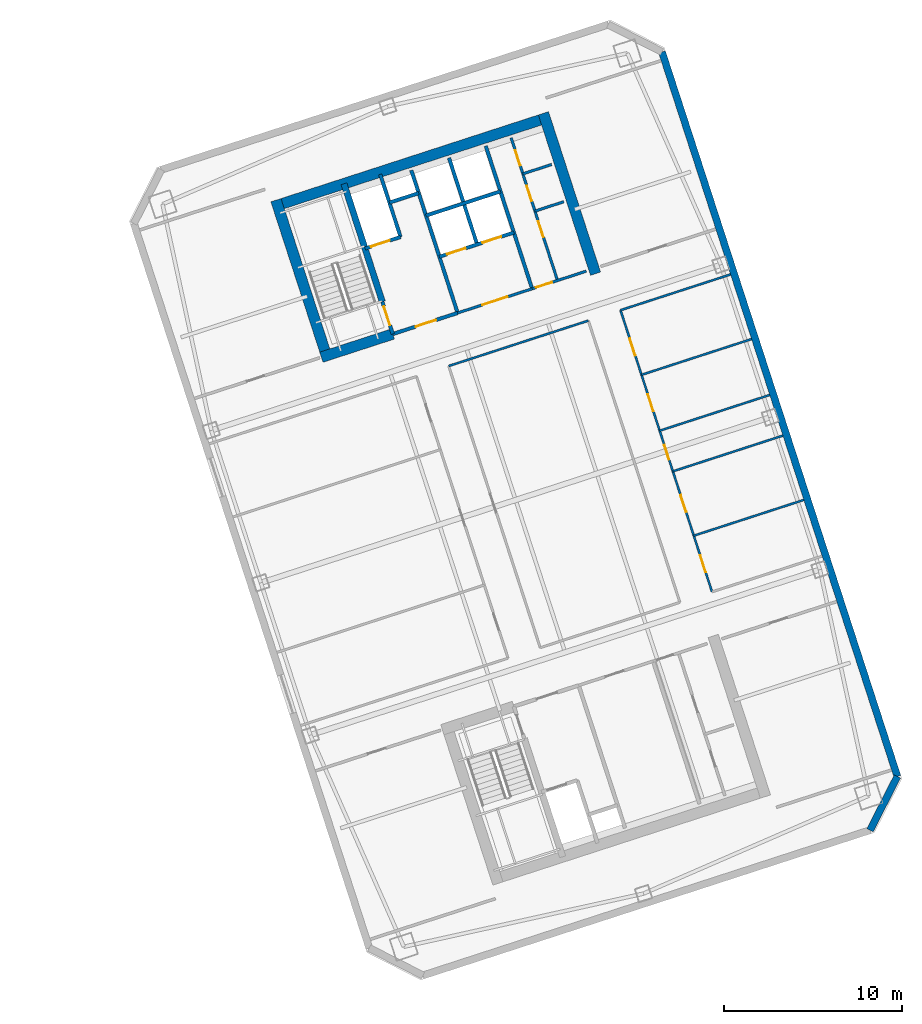
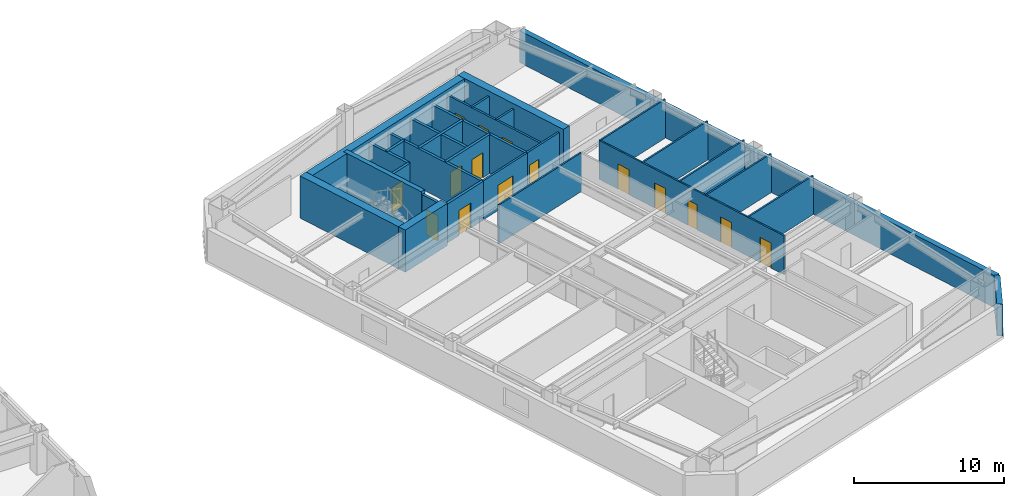
# One storey, part 10 of 14: 29 walls, 15 doors, 15 openings.
"""IFC4 building model written with IfcOpenShell, lengths in metres."""

from ifc_helpers import new_model, si_unit, direction, frame, frame_2d, origin, place, context, subcontext, project, spatial, rectangle, extrude, material, layer, layer_set, type_object, element, fill, save


model = new_model("IFC4")

# Units and contexts
model_context = context("Model", 3, precision=1e-05, world=origin(), true_north=direction((0.0, 1.0)))
body_context = subcontext(model_context, "Body", "Model", "MODEL_VIEW")
ifc_project = project(units=[si_unit("LENGTHUNIT", "METRE"), si_unit("AREAUNIT", "SQUARE_METRE"), si_unit("VOLUMEUNIT", "CUBIC_METRE"), si_unit("PLANEANGLEUNIT", "RADIAN"), si_unit("MASSUNIT", "GRAM", prefix="KILO")], contexts=[model_context])

# Site, building, storey
site_placement = place(None, origin())
site = spatial("IfcSite", under=ifc_project, at=site_placement, CompositionType="ELEMENT")
building_placement = place(site_placement, origin())
building = spatial("IfcBuilding", under=site, at=building_placement, Name="Qiaolan Cultural Towers", CompositionType="ELEMENT")
storey_placement = place(building_placement, frame((0.0, 0.0, 159.85009765625)))
storey = spatial("IfcBuildingStorey", under=building, at=storey_placement, Name="L42", CompositionType="ELEMENT", Elevation=159.85009765625)

# Walls
ifc_material_1 = material(Name="Concrete C50", Category="concrete")
ifc_layer_1 = layer(ifc_material_1, 0.35009765625)
ifc_layer_set_1 = layer_set([ifc_layer_1], Name="Concrete C50")
wall_type_1 = type_object("IfcWallType", Name="WL-CORE-350", PredefinedType="SHEAR", material=ifc_layer_set_1)
wall_1_placement = place(storey_placement, frame((82.513671875, 45.13134765625, 0.0), z_axis=(0.0, 0.0, 1.0), x_axis=(-0.308988790936, 0.951065679686, 0.0)))
element("IfcWall", 1, at=wall_1_placement, inside=storey, type_object=wall_type_1, Name="L42 T2-CN Stair Core Dividing Web", PredefinedType="SHEAR", context=body_context, shape_type="SweptSolid", body=[
    extrude(rectangle(XDim=6.97998046875, YDim=0.35009765625, at=frame_2d((3.489990234375, 0.0))), origin(), (0.0, 0.0, 1.0), 3.449951171875),
])
ifc_material_2 = material(Name="Concrete C55", Category="concrete")
ifc_layer_2 = layer(ifc_material_2, 0.60009765625)
ifc_layer_set_2 = layer_set([ifc_layer_2], Name="Concrete C55")
wall_type_2 = type_object("IfcWallType", Name="WL-CORE-600", PredefinedType="SHEAR", material=ifc_layer_set_2)
wall_2_placement = place(storey_placement, frame((76.343505859375, 50.4658203125, 0.0), z_axis=(0.0, 0.0, 1.0), x_axis=(0.951055727519, 0.309019421968, 0.0)))
element("IfcWall", 2, at=wall_2_placement, inside=storey, type_object=wall_type_2, Name="L42 T2-CN Outer Core Shear Wall", PredefinedType="SHEAR", context=body_context, shape_type="SweptSolid", body=[
    extrude(rectangle(XDim=16.39990234375, YDim=0.60009765625, at=frame_2d((8.199951171875, 0.0))), origin(), (0.0, 0.0, 1.0), 3.449951171875),
])
for number, where, z_axis, x_axis, name in (
    (3, (79.465576171875, 41.827880859375, 0.0), (0.0, 0.0, 1.0), (-0.309041232772, 0.951048640421, 0.0), "L42 T2-CN West Core Shear Wall"),
    (4, (94.4921875, 46.710205078125, 0.0), (0.0, 0.0, 1.0), (-0.309010370028, 0.95105866865, 0.0), "L42 T2-CN East Core Shear Wall"),
):
    element("IfcWall", number, at=place(storey_placement, frame(where, z_axis=z_axis, x_axis=x_axis)), inside=storey, type_object=wall_type_2, Name=name, PredefinedType="SHEAR", context=body_context, shape_type="SweptSolid", body=[
        extrude(rectangle(XDim=9.47998046875, YDim=0.60009765625, at=frame_2d((4.739990234375, 0.0))), origin(), (0.0, 0.0, 1.0), 3.449951171875),
    ])
wall_3_placement = place(storey_placement, frame((79.08740234375, 42.0205078125, 0.0), z_axis=(0.0, 0.0, 1.0), x_axis=(0.951062550203, 0.3089984233, 0.0)))
element("IfcWall", 5, at=wall_3_placement, inside=storey, type_object=wall_type_2, Name="L42 T2-CN Stair Front Shear Wall", PredefinedType="SHEAR", context=body_context, shape_type="SweptSolid", body=[
    extrude(rectangle(XDim=4.219970703125, YDim=0.60009765625, at=frame_2d((2.10986328125, 0.0))), origin(), (0.0, 0.0, 1.0), 3.449951171875),
])
ifc_material_3 = material(Name="Precast Concrete C50 Honed Stone Pier", Category="masonry")
ifc_layer_3 = layer(ifc_material_3, 0.39990234375)
ifc_layer_set_3 = layer_set([ifc_layer_3], Name="Precast Concrete C50 Honed Stone Pier")
wall_type_3 = type_object("IfcWallType", Name="WL-EXT-PIER-400", PredefinedType="SOLIDWALL", material=ifc_layer_set_3)
wall_4_placement = place(storey_placement, frame((98.2236328125, 59.17333984375, 0.0), z_axis=(0.0, 0.0, 1.0), x_axis=(0.309014228706, -0.951057414911, 0.0)))
element("IfcWall", 6, at=wall_4_placement, inside=storey, type_object=wall_type_3, Name="L42 East Tower Precast Pier Facade Wall F5", PredefinedType="SOLIDWALL", context=body_context, shape_type="SweptSolid", body=[
    extrude(rectangle(XDim=42.800048828125, YDim=0.39990234375, at=frame_2d((21.39990234375, 0.0))), origin(), (0.0, 0.0, 1.0), 2.60986328125),
])
wall_5_placement = place(storey_placement, frame((111.449462890625, 18.468017578125, 0.0), z_axis=(0.0, 0.0, 1.0), x_axis=(-0.454019523198, -0.890991735402, 0.0)))
element("IfcWall", 7, at=wall_5_placement, inside=storey, type_object=wall_type_3, Name="L42 East Tower Precast Pier Facade Wall F6", PredefinedType="SOLIDWALL", context=body_context, shape_type="SweptSolid", body=[
    extrude(rectangle(XDim=3.39404296875, YDim=0.39990234375, at=frame_2d((1.697021484375, 0.0))), origin(), (0.0, 0.0, 1.0), 2.60986328125),
])

# Wall, opening, door
ifc_material_4 = material(Name="Concrete C35 Fire Wall", Category="concrete")
ifc_layer_4 = layer(ifc_material_4, 0.199951171875)
ifc_layer_set_4 = layer_set([ifc_layer_4], Name="Concrete C35 Fire Wall")
wall_type_4 = type_object("IfcWallType", Name="WL-FIRE-200", PredefinedType="PARTITIONING", material=ifc_layer_set_4)
wall_6_placement = place(storey_placement, frame((83.100830078125, 43.324462890625, 0.0), z_axis=(0.0, 0.0, 1.0), x_axis=(-0.309048298632, 0.951046344356, 0.0)))
wall_6 = element("IfcWall", 8, at=wall_6_placement, inside=storey, type_object=wall_type_4, Name="L42 T2-CN Smokeproof Stair Entry Wall", PredefinedType="PARTITIONING", context=body_context, shape_type="SweptSolid", body=[
    extrude(rectangle(XDim=1.89990234375, YDim=0.199951171875, at=frame_2d((0.949951171875, 0.0))), origin(), (0.0, 0.0, 1.0), 3.1748046875),
])
opening_1_placement = place(wall_6_placement, frame((0.52001953125, 0.0, 0.0)))
opening_1 = element("IfcOpeningElement", 9, at=opening_1_placement, cuts=wall_6, Name="Opening FD-04", PredefinedType="OPENING", context=body_context, shape_type="SweptSolid", body=[
    extrude(rectangle(XDim=1.10009765625, YDim=2.050048828125, at=frame_2d((0.550048828125, 1.02490234375))), frame((0.0, 0.10986328125, 0.0), z_axis=(0.0, -1.0, 0.0), x_axis=(1.0, 0.0, 0.0)), (0.0, 0.0, 1.0), 0.219970703125),
])
ifc_material_5 = material(Name="Galvanized Steel Command Fire Door", Category="steel")
door_type_1 = type_object("IfcDoorType", Name="DR-FD90-1100", OperationType="NOTDEFINED", PredefinedType="DOOR", material=ifc_material_5)
door_1_placement = place(opening_1_placement, origin())
door_1 = element("IfcDoor", 10, at=door_1_placement, inside=storey, type_object=door_type_1, Name="L42 ST-E2 Smokeproof Stair Fire Door", OperationType="SINGLE_SWING_LEFT", OverallHeight=2.050048828125, OverallWidth=1.10009765625, PredefinedType="DOOR", context=body_context, shape_type="SweptSolid", body=[
    extrude(rectangle(XDim=1.10009765625, YDim=2.050048828125, at=frame_2d((0.550048828125, 1.02490234375))), frame((0.0, 0.02490234375, 0.0), z_axis=(0.0, -1.0, 0.0), x_axis=(1.0, 0.0, 0.0)), (0.0, 0.0, 1.0), 0.050048828125),
])
fill(opening_1, door_1)

# Wall
wall_7_placement = place(storey_placement, frame((86.743408203125, 44.508056640625, 0.0), z_axis=(0.0, 0.0, 1.0), x_axis=(-0.309016001439, 0.951056838919, 0.0)))
element("IfcWall", 11, at=wall_7_placement, inside=storey, type_object=wall_type_4, Name="L42 T2-CN Firefighting Zone Wall", PredefinedType="PARTITIONING", context=body_context, shape_type="SweptSolid", body=[
    extrude(rectangle(XDim=8.429931640625, YDim=0.199951171875, at=frame_2d((4.21484375, 0.0))), origin(), (0.0, 0.0, 1.0), 3.1748046875),
])

# Wall, opening, door
wall_8_placement = place(storey_placement, frame((83.100830078125, 43.324462890625, 0.0), z_axis=(0.0, 0.0, 1.0), x_axis=(0.951052804469, 0.309028417967, 0.0)))
wall_8 = element("IfcWall", 12, at=wall_8_placement, inside=storey, type_object=wall_type_4, Name="L42 T2-CN Firefighting Lobby Front Wall", PredefinedType="PARTITIONING", context=body_context, shape_type="SweptSolid", body=[
    extrude(rectangle(XDim=3.830078125, YDim=0.199951171875, at=frame_2d((1.9150390625, 0.0))), origin(), (0.0, 0.0, 1.0), 3.1748046875),
])
opening_2_placement = place(wall_8_placement, frame((1.35009765625, 0.0, 0.0)))
opening_2 = element("IfcOpeningElement", 13, at=opening_2_placement, cuts=wall_8, Name="Opening FD-03", PredefinedType="OPENING", context=body_context, shape_type="SweptSolid", body=[
    extrude(rectangle(XDim=1.199951171875, YDim=2.050048828125, at=frame_2d((0.60009765625, 1.02490234375))), frame((0.0, 0.10986328125, 0.0), z_axis=(0.0, -1.0, 0.0), x_axis=(1.0, 0.0, 0.0)), (0.0, 0.0, 1.0), 0.219970703125),
])
ifc_material_6 = material(Name="Galvanized Steel Smokeproof Lobby Fire Door", Category="steel")
door_type_2 = type_object("IfcDoorType", Name="DR-FD90-1200", OperationType="NOTDEFINED", PredefinedType="DOOR", material=ifc_material_6)
door_2_placement = place(opening_2_placement, origin())
door_2 = element("IfcDoor", 14, at=door_2_placement, inside=storey, type_object=door_type_2, Name="L42 FFL-E2 Firefighting Lobby Fire Door", OperationType="SINGLE_SWING_LEFT", OverallHeight=2.050048828125, OverallWidth=1.199951171875, PredefinedType="DOOR", context=body_context, shape_type="SweptSolid", body=[
    extrude(rectangle(XDim=1.199951171875, YDim=2.050048828125, at=frame_2d((0.60009765625, 1.02490234375))), frame((0.0, 0.02490234375, 0.0), z_axis=(0.0, -1.0, 0.0), x_axis=(1.0, 0.0, 0.0)), (0.0, 0.0, 1.0), 0.050048828125),
])
fill(opening_2, door_2)

wall_9_placement = place(storey_placement, frame((81.540283203125, 48.127197265625, 0.0), z_axis=(0.0, 0.0, 1.0), x_axis=(0.951062257173, 0.308999325213, 0.0)))
wall_9 = element("IfcWall", 15, at=wall_9_placement, inside=storey, type_object=wall_type_4, Name="L42 T2-CN Firefighting Shaft Front Wall", PredefinedType="PARTITIONING", context=body_context, shape_type="SweptSolid", body=[
    extrude(rectangle(XDim=2.10009765625, YDim=0.199951171875, at=frame_2d((1.050048828125, 0.0))), origin(), (0.0, 0.0, 1.0), 3.1748046875),
])
opening_3_placement = place(wall_9_placement, frame((0.35009765625, 0.0, 0.0)))
opening_3 = element("IfcOpeningElement", 16, at=opening_3_placement, cuts=wall_9, Name="Opening LD-01", PredefinedType="OPENING", context=body_context, shape_type="SweptSolid", body=[
    extrude(rectangle(XDim=1.10009765625, YDim=2.050048828125, at=frame_2d((0.550048828125, 1.02490234375))), frame((0.0, 0.10986328125, 0.0), z_axis=(0.0, -1.0, 0.0), x_axis=(1.0, 0.0, 0.0)), (0.0, 0.0, 1.0), 0.219970703125),
])
ifc_material_7 = material(Name="Brushed Stainless Steel S30408 Centre-Parting Lift Landing Door", Category="steel")
door_type_3 = type_object("IfcDoorType", Name="DR-LIFT-1100", OperationType="NOTDEFINED", PredefinedType="DOOR", material=ifc_material_7)
door_3_placement = place(opening_3_placement, origin())
door_3 = element("IfcDoor", 17, at=door_3_placement, inside=storey, type_object=door_type_3, Name="L42 FFL-E2 Firefighting Lift Landing Door", OperationType="DOUBLE_DOOR_SLIDING", OverallHeight=2.050048828125, OverallWidth=1.10009765625, PredefinedType="DOOR", context=body_context, shape_type="SweptSolid", body=[
    extrude(rectangle(XDim=1.10009765625, YDim=2.050048828125, at=frame_2d((0.550048828125, 1.02490234375))), frame((0.0, 0.02490234375, 0.0), z_axis=(0.0, -1.0, 0.0), x_axis=(1.0, 0.0, 0.0)), (0.0, 0.0, 1.0), 0.050048828125),
])
fill(opening_3, door_3)

# Walls
wall_10_placement = place(storey_placement, frame((83.53759765625, 48.776123046875, 0.0), z_axis=(0.0, 0.0, 1.0), x_axis=(-0.3089935693, 0.951064127245, 0.0)))
element("IfcWall", 18, at=wall_10_placement, inside=storey, type_object=wall_type_4, Name="L42 T2-CN Firefighting Hoistway East Wall", PredefinedType="PARTITIONING", context=body_context, shape_type="SweptSolid", body=[
    extrude(rectangle(XDim=3.7001953125, YDim=0.199951171875, at=frame_2d((1.85009765625, 0.0))), origin(), (0.0, 0.0, 1.0), 3.1748046875),
])
wall_11_placement = place(storey_placement, frame((82.910400390625, 50.706787109375, 0.0), z_axis=(0.0, 0.0, 1.0), x_axis=(0.951041328149, 0.309063734775, 0.0)))
element("IfcWall", 19, at=wall_11_placement, inside=storey, type_object=wall_type_4, Name="L42 T2-CN Pressurization Shaft Front Wall", PredefinedType="PARTITIONING", context=body_context, shape_type="SweptSolid", body=[
    extrude(rectangle(XDim=1.72998046875, YDim=0.199951171875, at=frame_2d((0.864990234375, 0.0))), origin(), (0.0, 0.0, 1.0), 3.1748046875),
])
wall_12_placement = place(storey_placement, frame((90.92822265625, 45.86767578125, 0.0), z_axis=(0.0, 0.0, 1.0), x_axis=(-0.309042196757, 0.951048327176, 0.0)))
element("IfcWall", 20, at=wall_12_placement, inside=storey, type_object=wall_type_4, Name="L42 T2-CN Lift Core East Wall", PredefinedType="PARTITIONING", context=body_context, shape_type="SweptSolid", body=[
    extrude(rectangle(XDim=8.429931640625, YDim=0.199951171875, at=frame_2d((4.21484375, 0.0))), origin(), (0.0, 0.0, 1.0), 3.1748046875),
])

# Wall, openings, doors
wall_13_placement = place(storey_placement, frame((85.717529296875, 47.66552734375, 0.0), z_axis=(0.0, 0.0, 1.0), x_axis=(0.951058531764, 0.30901079133, 0.0)))
wall_13 = element("IfcWall", 21, at=wall_13_placement, inside=storey, type_object=wall_type_4, Name="L42 T2-CN Passenger Lift Shaft Front Wall", PredefinedType="PARTITIONING", context=body_context, shape_type="SweptSolid", body=[
    extrude(rectangle(XDim=4.39990234375, YDim=0.199951171875, at=frame_2d((2.199951171875, 0.0))), origin(), (0.0, 0.0, 1.0), 3.1748046875),
])
opening_4_placement = place(wall_13_placement, frame((0.449951171875, 0.0, 0.0)))
opening_4 = element("IfcOpeningElement", 22, at=opening_4_placement, cuts=wall_13, Name="Opening LD-01", PredefinedType="OPENING", context=body_context, shape_type="SweptSolid", body=[
    extrude(rectangle(XDim=1.10009765625, YDim=2.050048828125, at=frame_2d((0.550048828125, 1.02490234375))), frame((0.0, 0.10986328125, 0.0), z_axis=(0.0, -1.0, 0.0), x_axis=(1.0, 0.0, 0.0)), (0.0, 0.0, 1.0), 0.219970703125),
])
opening_5_placement = place(wall_13_placement, frame((2.550048828125, 0.0, 0.0)))
opening_5 = element("IfcOpeningElement", 23, at=opening_5_placement, cuts=wall_13, Name="Opening LD-01", PredefinedType="OPENING", context=body_context, shape_type="SweptSolid", body=[
    extrude(rectangle(XDim=1.10009765625, YDim=2.050048828125, at=frame_2d((0.550048828125, 1.02490234375))), frame((0.0, 0.10986328125, 0.0), z_axis=(0.0, -1.0, 0.0), x_axis=(1.0, 0.0, 0.0)), (0.0, 0.0, 1.0), 0.219970703125),
])
door_4_placement = place(opening_4_placement, origin())
door_4 = element("IfcDoor", 24, at=door_4_placement, inside=storey, type_object=door_type_3, Name="L42 Passenger Lift 1 Landing Door", OperationType="DOUBLE_DOOR_SLIDING", OverallHeight=2.050048828125, OverallWidth=1.10009765625, PredefinedType="DOOR", context=body_context, shape_type="SweptSolid", body=[
    extrude(rectangle(XDim=1.10009765625, YDim=2.050048828125, at=frame_2d((0.550048828125, 1.02490234375))), frame((0.0, 0.02490234375, 0.0), z_axis=(0.0, -1.0, 0.0), x_axis=(1.0, 0.0, 0.0)), (0.0, 0.0, 1.0), 0.050048828125),
])
fill(opening_4, door_4)
door_5_placement = place(opening_5_placement, origin())
door_5 = element("IfcDoor", 25, at=door_5_placement, inside=storey, type_object=door_type_3, Name="L42 Passenger Lift 2 Landing Door", OperationType="DOUBLE_DOOR_SLIDING", OverallHeight=2.050048828125, OverallWidth=1.10009765625, PredefinedType="DOOR", context=body_context, shape_type="SweptSolid", body=[
    extrude(rectangle(XDim=1.10009765625, YDim=2.050048828125, at=frame_2d((0.550048828125, 1.02490234375))), frame((0.0, 0.02490234375, 0.0), z_axis=(0.0, -1.0, 0.0), x_axis=(1.0, 0.0, 0.0)), (0.0, 0.0, 1.0), 0.050048828125),
])
fill(opening_5, door_5)

# Walls
wall_14_placement = place(storey_placement, frame((87.83837890625, 48.3544921875, 0.0), z_axis=(0.0, 0.0, 1.0), x_axis=(-0.3090093719, 0.951058992953, 0.0)))
element("IfcWall", 26, at=wall_14_placement, inside=storey, type_object=wall_type_4, Name="L42 T2-CN Lift Shaft Divider Wall", PredefinedType="PARTITIONING", context=body_context, shape_type="SweptSolid", body=[
    extrude(rectangle(XDim=5.110107421875, YDim=0.199951171875, at=frame_2d((2.55517578125, 0.0))), origin(), (0.0, 0.0, 1.0), 3.1748046875),
])
wall_15_placement = place(storey_placement, frame((84.966552734375, 49.9765625, 0.0), z_axis=(0.0, 0.0, 1.0), x_axis=(0.951063829732, 0.308994485023, 0.0)))
element("IfcWall", 27, at=wall_15_placement, inside=storey, type_object=wall_type_4, Name="L42 T2-CN Passenger Lift Shaft Back Wall", PredefinedType="PARTITIONING", context=body_context, shape_type="SweptSolid", body=[
    extrude(rectangle(XDim=4.400146484375, YDim=0.199951171875, at=frame_2d((2.2001953125, 0.0))), origin(), (0.0, 0.0, 1.0), 3.1748046875),
])
ifc_material_8 = material(Name="Gypsum Stud Acoustic Partition", Category="gypsum")
ifc_layer_5 = layer(ifc_material_8, 0.1201171875)
ifc_layer_set_5 = layer_set([ifc_layer_5], Name="Gypsum Stud Acoustic Partition")
wall_type_5 = type_object("IfcWallType", Name="WL-PART-120", PredefinedType="PARTITIONING", material=ifc_layer_set_5)
wall_16_placement = place(storey_placement, frame((86.240234375, 41.526611328125, 0.0), z_axis=(0.0, 0.0, 1.0), x_axis=(0.951058857521, 0.309009788731, 0.0)))
element("IfcWall", 28, at=wall_16_placement, inside=storey, type_object=wall_type_5, Name="L42 T2 Interior Wall", PredefinedType="PARTITIONING", context=body_context, shape_type="SweptSolid", body=[
    extrude(rectangle(XDim=8.25, YDim=0.1201171875, at=frame_2d((4.125, 0.0))), origin(), (0.0, 0.0, 1.0), 3.1748046875),
])
wall_17_placement = place(storey_placement, frame((95.893310546875, 44.6630859375, 0.0), z_axis=(0.0, 0.0, 1.0), x_axis=(0.951059735424, 0.30900708674, 0.0)))
element("IfcWall", 29, at=wall_17_placement, inside=storey, type_object=wall_type_5, Name="L42 T2 Interior Wall", PredefinedType="PARTITIONING", context=body_context, shape_type="SweptSolid", body=[
    extrude(rectangle(XDim=6.5, YDim=0.1201171875, at=frame_2d((3.25, 0.0))), origin(), (0.0, 0.0, 1.0), 3.1748046875),
])

# Wall, openings, doors
wall_18_placement = place(storey_placement, frame((101.035400390625, 28.83740234375, 0.0), z_axis=(0.0, 0.0, 1.0), x_axis=(-0.30901773025, 0.951056277195, 0.0)))
wall_18 = element("IfcWall", 30, at=wall_18_placement, inside=storey, type_object=wall_type_5, Name="L42 T2 Interior Wall", PredefinedType="PARTITIONING", context=body_context, shape_type="SweptSolid", body=[
    extrude(rectangle(XDim=16.64013671875, YDim=0.1201171875, at=frame_2d((8.320068359375, 0.0))), origin(), (0.0, 0.0, 1.0), 3.1748046875),
])
opening_6_placement = place(wall_18_placement, frame((1.159912109375, 0.0, 0.0)))
opening_6 = element("IfcOpeningElement", 31, at=opening_6_placement, cuts=wall_18, Name="Opening ID-04", PredefinedType="OPENING", context=body_context, shape_type="SweptSolid", body=[
    extrude(rectangle(XDim=1.0, YDim=2.050048828125, at=frame_2d((0.5, 1.02490234375))), frame((0.0, 0.070068359375, 0.0), z_axis=(0.0, -1.0, 0.0), x_axis=(1.0, 0.0, 0.0)), (0.0, 0.0, 1.0), 0.14013671875),
])
opening_7_placement = place(wall_18_placement, frame((4.719970703125, 0.0, 0.0)))
opening_7 = element("IfcOpeningElement", 32, at=opening_7_placement, cuts=wall_18, Name="Opening ID-04", PredefinedType="OPENING", context=body_context, shape_type="SweptSolid", body=[
    extrude(rectangle(XDim=1.0, YDim=2.050048828125, at=frame_2d((0.5, 1.02490234375))), frame((0.0, 0.070068359375, 0.0), z_axis=(0.0, -1.0, 0.0), x_axis=(1.0, 0.0, 0.0)), (0.0, 0.0, 1.0), 0.14013671875),
])
opening_8_placement = place(wall_18_placement, frame((7.820068359375, 0.0, 0.0)))
opening_8 = element("IfcOpeningElement", 33, at=opening_8_placement, cuts=wall_18, Name="Opening ID-09", PredefinedType="OPENING", context=body_context, shape_type="SweptSolid", body=[
    extrude(rectangle(XDim=0.85009765625, YDim=2.050048828125, at=frame_2d((0.425048828125, 1.02490234375))), frame((0.0, 0.070068359375, 0.0), z_axis=(0.0, -1.0, 0.0), x_axis=(1.0, 0.0, 0.0)), (0.0, 0.0, 1.0), 0.14013671875),
])
opening_9_placement = place(wall_18_placement, frame((10.670654296875, 0.0, 0.0)))
opening_9 = element("IfcOpeningElement", 34, at=opening_9_placement, cuts=wall_18, Name="Opening ID-04", PredefinedType="OPENING", context=body_context, shape_type="SweptSolid", body=[
    extrude(rectangle(XDim=1.0, YDim=2.050048828125, at=frame_2d((0.5, 1.02490234375))), frame((0.0, 0.070068359375, 0.0), z_axis=(0.0, -1.0, 0.0), x_axis=(1.0, 0.0, 0.0)), (0.0, 0.0, 1.0), 0.14013671875),
])
opening_10_placement = place(wall_18_placement, frame((13.970703125, 0.0, 0.0)))
opening_10 = element("IfcOpeningElement", 35, at=opening_10_placement, cuts=wall_18, Name="Opening ID-04", PredefinedType="OPENING", context=body_context, shape_type="SweptSolid", body=[
    extrude(rectangle(XDim=1.0, YDim=2.050048828125, at=frame_2d((0.5, 1.02490234375))), frame((0.0, 0.070068359375, 0.0), z_axis=(0.0, -1.0, 0.0), x_axis=(1.0, 0.0, 0.0)), (0.0, 0.0, 1.0), 0.14013671875),
])
ifc_material_9 = material(Name="Oak Veneer Acoustic Office Door", Category="timber")
door_type_4 = type_object("IfcDoorType", Name="DR-INT-1000", OperationType="NOTDEFINED", PredefinedType="DOOR", material=ifc_material_9)
door_6_placement = place(opening_6_placement, origin())
door_6 = element("IfcDoor", 36, at=door_6_placement, inside=storey, type_object=door_type_4, Name="L42 T2 Art Consultancy Shop Door", OperationType="SINGLE_SWING_RIGHT", OverallHeight=2.050048828125, OverallWidth=1.0, PredefinedType="DOOR", context=body_context, shape_type="SweptSolid", body=[
    extrude(rectangle(XDim=1.0, YDim=2.050048828125, at=frame_2d((0.5, 1.02490234375))), frame((0.0, 0.02490234375, 0.0), z_axis=(0.0, -1.0, 0.0), x_axis=(1.0, 0.0, 0.0)), (0.0, 0.0, 1.0), 0.050048828125),
])
fill(opening_6, door_6)
door_7_placement = place(opening_7_placement, origin())
door_7 = element("IfcDoor", 37, at=door_7_placement, inside=storey, type_object=door_type_4, Name="L42 T2 Art Consultancy Shop Door", OperationType="SINGLE_SWING_LEFT", OverallHeight=2.050048828125, OverallWidth=1.0, PredefinedType="DOOR", context=body_context, shape_type="SweptSolid", body=[
    extrude(rectangle(XDim=1.0, YDim=2.050048828125, at=frame_2d((0.5, 1.02490234375))), frame((0.0, 0.02490234375, 0.0), z_axis=(0.0, -1.0, 0.0), x_axis=(1.0, 0.0, 0.0)), (0.0, 0.0, 1.0), 0.050048828125),
])
fill(opening_7, door_7)
door_8_placement = place(opening_9_placement, origin())
door_8 = element("IfcDoor", 38, at=door_8_placement, inside=storey, type_object=door_type_4, Name="L42 T2 Art Consultancy Shop Door", OperationType="SINGLE_SWING_LEFT", OverallHeight=2.050048828125, OverallWidth=1.0, PredefinedType="DOOR", context=body_context, shape_type="SweptSolid", body=[
    extrude(rectangle(XDim=1.0, YDim=2.050048828125, at=frame_2d((0.5, 1.02490234375))), frame((0.0, 0.02490234375, 0.0), z_axis=(0.0, -1.0, 0.0), x_axis=(1.0, 0.0, 0.0)), (0.0, 0.0, 1.0), 0.050048828125),
])
fill(opening_9, door_8)
door_9_placement = place(opening_10_placement, origin())
door_9 = element("IfcDoor", 39, at=door_9_placement, inside=storey, type_object=door_type_4, Name="L42 T2 Executive Office Door", OperationType="SINGLE_SWING_RIGHT", OverallHeight=2.050048828125, OverallWidth=1.0, PredefinedType="DOOR", context=body_context, shape_type="SweptSolid", body=[
    extrude(rectangle(XDim=1.0, YDim=2.050048828125, at=frame_2d((0.5, 1.02490234375))), frame((0.0, 0.02490234375, 0.0), z_axis=(0.0, -1.0, 0.0), x_axis=(1.0, 0.0, 0.0)), (0.0, 0.0, 1.0), 0.050048828125),
])
fill(opening_10, door_9)
ifc_material_10 = material(Name="Moisture-Resistant Laminate Utility Door", Category="timber")
door_type_5 = type_object("IfcDoorType", Name="DR-INT-850", OperationType="NOTDEFINED", PredefinedType="DOOR", material=ifc_material_10)
door_10_placement = place(opening_8_placement, origin())
door_10 = element("IfcDoor", 40, at=door_10_placement, inside=storey, type_object=door_type_5, Name="L42 T2 Art Consultancy Shop Door", OperationType="SINGLE_SWING_RIGHT", OverallHeight=2.050048828125, OverallWidth=0.85009765625, PredefinedType="DOOR", context=body_context, shape_type="SweptSolid", body=[
    extrude(rectangle(XDim=0.85009765625, YDim=2.050048828125, at=frame_2d((0.425048828125, 1.02490234375))), frame((0.0, 0.02490234375, 0.0), z_axis=(0.0, -1.0, 0.0), x_axis=(1.0, 0.0, 0.0)), (0.0, 0.0, 1.0), 0.050048828125),
])
fill(opening_8, door_10)

# Walls
for number, where, z_axis, x_axis, name in (
    (41, (100.009521484375, 31.994873046875, 0.0), (0.0, 0.0, 1.0), (0.95104869662, 0.309041059824, 0.0), "L42 T2 Interior Wall"),
    (42, (98.835205078125, 35.60888671875, 0.0), (0.0, 0.0, 1.0), (0.95104869662, 0.309041059824, 0.0), "L42 T2 Interior Wall"),
    (43, (98.093505859375, 37.8916015625, 0.0), (0.0, 0.0, 1.0), (0.951059735424, 0.30900708674, 0.0), "L42 T2 Interior Wall"),
    (44, (97.073486328125, 41.03125, 0.0), (0.0, 0.0, 1.0), (0.95104869662, 0.309041059824, 0.0), "L42 T2 Interior Wall"),
):
    element("IfcWall", number, at=place(storey_placement, frame(where, z_axis=z_axis, x_axis=x_axis)), inside=storey, type_object=wall_type_5, Name=name, PredefinedType="PARTITIONING", context=body_context, shape_type="SweptSolid", body=[
        extrude(rectangle(XDim=6.5, YDim=0.1201171875, at=frame_2d((3.25, 0.0))), origin(), (0.0, 0.0, 1.0), 3.1748046875),
    ])

# Wall, opening, door
ifc_material_11 = material(Name="Autoclaved Aerated Concrete Block B06", Category="concrete")
ifc_layer_6 = layer(ifc_material_11, 0.14990234375)
ifc_layer_set_6 = layer_set([ifc_layer_6], Name="Autoclaved Aerated Concrete Block B06")
wall_type_6 = type_object("IfcWallType", Name="WL-PART-150", PredefinedType="PARTITIONING", material=ifc_layer_set_6)
wall_19_placement = place(storey_placement, frame((86.743408203125, 44.508056640625, 0.0), z_axis=(0.0, 0.0, 1.0), x_axis=(0.951063829732, 0.308994485023, 0.0)))
wall_19 = element("IfcWall", 45, at=wall_19_placement, inside=storey, type_object=wall_type_6, Name="L42 T2-CN Passenger Lift Lobby Front Wall", PredefinedType="PARTITIONING", context=body_context, shape_type="SweptSolid", body=[
    extrude(rectangle(XDim=4.400146484375, YDim=0.14990234375, at=frame_2d((2.2001953125, 0.0))), origin(), (0.0, 0.0, 1.0), 3.1748046875),
])
opening_11_placement = place(wall_19_placement, frame((1.449951171875, 0.0, 0.0)))
opening_11 = element("IfcOpeningElement", 46, at=opening_11_placement, cuts=wall_19, Name="Opening FD-05", PredefinedType="OPENING", context=body_context, shape_type="SweptSolid", body=[
    extrude(rectangle(XDim=1.5, YDim=2.050048828125, at=frame_2d((0.75, 1.02490234375))), frame((0.0, 0.0849609375, 0.0), z_axis=(0.0, -1.0, 0.0), x_axis=(1.0, 0.0, 0.0)), (0.0, 0.0, 1.0), 0.169921875),
])
ifc_material_12 = material(Name="Painted Steel Lift Lobby Fire Door", Category="steel")
door_type_6 = type_object("IfcDoorType", Name="DR-FD60-1500", OperationType="NOTDEFINED", PredefinedType="DOOR", material=ifc_material_12)
door_11_placement = place(opening_11_placement, origin())
door_11 = element("IfcDoor", 47, at=door_11_placement, inside=storey, type_object=door_type_6, Name="L42 Passenger Lift Lobby Entrance", OperationType="SINGLE_SWING_LEFT", OverallHeight=2.050048828125, OverallWidth=1.5, PredefinedType="DOOR", context=body_context, shape_type="SweptSolid", body=[
    extrude(rectangle(XDim=1.5, YDim=2.050048828125, at=frame_2d((0.75, 1.02490234375))), frame((0.0, 0.02490234375, 0.0), z_axis=(0.0, -1.0, 0.0), x_axis=(1.0, 0.0, 0.0)), (0.0, 0.0, 1.0), 0.050048828125),
])
fill(opening_11, door_11)

wall_20_placement = place(storey_placement, frame((90.92822265625, 45.86767578125, 0.0), z_axis=(0.0, 0.0, 1.0), x_axis=(0.951059297078, 0.309008435874, 0.0)))
wall_20 = element("IfcWall", 48, at=wall_20_placement, inside=storey, type_object=wall_type_6, Name="L42 T2-CN Sanitary Core Front Wall", PredefinedType="PARTITIONING", context=body_context, shape_type="SweptSolid", body=[
    extrude(rectangle(XDim=3.19970703125, YDim=0.14990234375, at=frame_2d((1.599853515625, 0.0))), origin(), (0.0, 0.0, 1.0), 3.1748046875),
])
opening_12_placement = place(wall_20_placement, frame((0.219970703125, 0.0, 0.0)))
opening_12 = element("IfcOpeningElement", 49, at=opening_12_placement, cuts=wall_20, Name="Opening ID-05", PredefinedType="OPENING", context=body_context, shape_type="SweptSolid", body=[
    extrude(rectangle(XDim=0.949951171875, YDim=2.050048828125, at=frame_2d((0.47509765625, 1.02490234375))), frame((0.0, 0.0849609375, 0.0), z_axis=(0.0, -1.0, 0.0), x_axis=(1.0, 0.0, 0.0)), (0.0, 0.0, 1.0), 0.169921875),
])
ifc_material_13 = material(Name="Fire-Rated Laminate Accessible Core Door", Category="timber")
door_type_7 = type_object("IfcDoorType", Name="DR-INT-950", OperationType="NOTDEFINED", PredefinedType="DOOR", material=ifc_material_13)
door_12_placement = place(opening_12_placement, origin())
door_12 = element("IfcDoor", 50, at=door_12_placement, inside=storey, type_object=door_type_7, Name="L42 Sanitary Vestibule Door", OperationType="SINGLE_SWING_LEFT", OverallHeight=2.050048828125, OverallWidth=0.949951171875, PredefinedType="DOOR", context=body_context, shape_type="SweptSolid", body=[
    extrude(rectangle(XDim=0.949951171875, YDim=2.050048828125, at=frame_2d((0.47509765625, 1.02490234375))), frame((0.0, 0.02490234375, 0.0), z_axis=(0.0, -1.0, 0.0), x_axis=(1.0, 0.0, 0.0)), (0.0, 0.0, 1.0), 0.050048828125),
])
fill(opening_12, door_12)

# Wall, openings, doors
wall_21_placement = place(storey_placement, frame((92.354736328125, 46.3310546875, 0.0), z_axis=(0.0, 0.0, 1.0), x_axis=(-0.309007490203, 0.951059604335, 0.0)))
wall_21 = element("IfcWall", 51, at=wall_21_placement, inside=storey, type_object=wall_type_6, Name="L42 T2-CN Sanitary Vestibule Wall", PredefinedType="PARTITIONING", context=body_context, shape_type="SweptSolid", body=[
    extrude(rectangle(XDim=8.43017578125, YDim=0.14990234375, at=frame_2d((4.215087890625, 0.0))), origin(), (0.0, 0.0, 1.0), 3.1748046875),
])
opening_13_placement = place(wall_21_placement, frame((2.550048828125, 0.0, 0.0)))
opening_13 = element("IfcOpeningElement", 52, at=opening_13_placement, cuts=wall_21, Name="Opening ID-05", PredefinedType="OPENING", context=body_context, shape_type="SweptSolid", body=[
    extrude(rectangle(XDim=0.949951171875, YDim=2.050048828125, at=frame_2d((0.47509765625, 1.02490234375))), frame((0.0, 0.0849609375, 0.0), z_axis=(0.0, -1.0, 0.0), x_axis=(1.0, 0.0, 0.0)), (0.0, 0.0, 1.0), 0.169921875),
])
opening_14_placement = place(wall_21_placement, frame((4.699951171875, 0.0, 0.0)))
opening_14 = element("IfcOpeningElement", 53, at=opening_14_placement, cuts=wall_21, Name="Opening ID-06", PredefinedType="OPENING", context=body_context, shape_type="SweptSolid", body=[
    extrude(rectangle(XDim=0.89990234375, YDim=2.050048828125, at=frame_2d((0.449951171875, 1.02490234375))), frame((0.0, 0.0849609375, 0.0), z_axis=(0.0, -1.0, 0.0), x_axis=(1.0, 0.0, 0.0)), (0.0, 0.0, 1.0), 0.169921875),
])
opening_15_placement = place(wall_21_placement, frame((6.800048828125, 0.0, 0.0)))
opening_15 = element("IfcOpeningElement", 54, at=opening_15_placement, cuts=wall_21, Name="Opening ID-06", PredefinedType="OPENING", context=body_context, shape_type="SweptSolid", body=[
    extrude(rectangle(XDim=0.89990234375, YDim=2.050048828125, at=frame_2d((0.449951171875, 1.02490234375))), frame((0.0, 0.0849609375, 0.0), z_axis=(0.0, -1.0, 0.0), x_axis=(1.0, 0.0, 0.0)), (0.0, 0.0, 1.0), 0.169921875),
])
ifc_material_14 = material(Name="Fire-Rated Laminate Core Service Door", Category="timber")
door_type_8 = type_object("IfcDoorType", Name="DR-INT-900", OperationType="NOTDEFINED", PredefinedType="DOOR", material=ifc_material_14)
door_13_placement = place(opening_14_placement, origin())
door_13 = element("IfcDoor", 55, at=door_13_placement, inside=storey, type_object=door_type_8, Name="L42 Men Washroom Door", OperationType="SINGLE_SWING_LEFT", OverallHeight=2.050048828125, OverallWidth=0.89990234375, PredefinedType="DOOR", context=body_context, shape_type="SweptSolid", body=[
    extrude(rectangle(XDim=0.89990234375, YDim=2.050048828125, at=frame_2d((0.449951171875, 1.02490234375))), frame((0.0, 0.02490234375, 0.0), z_axis=(0.0, -1.0, 0.0), x_axis=(1.0, 0.0, 0.0)), (0.0, 0.0, 1.0), 0.050048828125),
])
fill(opening_14, door_13)
door_14_placement = place(opening_15_placement, origin())
door_14 = element("IfcDoor", 56, at=door_14_placement, inside=storey, type_object=door_type_8, Name="L42 Women Washroom Door", OperationType="SINGLE_SWING_RIGHT", OverallHeight=2.050048828125, OverallWidth=0.89990234375, PredefinedType="DOOR", context=body_context, shape_type="SweptSolid", body=[
    extrude(rectangle(XDim=0.89990234375, YDim=2.050048828125, at=frame_2d((0.449951171875, 1.02490234375))), frame((0.0, 0.02490234375, 0.0), z_axis=(0.0, -1.0, 0.0), x_axis=(1.0, 0.0, 0.0)), (0.0, 0.0, 1.0), 0.050048828125),
])
fill(opening_15, door_14)
door_15_placement = place(opening_13_placement, origin())
door_15 = element("IfcDoor", 57, at=door_15_placement, inside=storey, type_object=door_type_7, Name="L42 Accessible Family Washroom Door", OperationType="SINGLE_SWING_LEFT", OverallHeight=2.050048828125, OverallWidth=0.949951171875, PredefinedType="DOOR", context=body_context, shape_type="SweptSolid", body=[
    extrude(rectangle(XDim=0.949951171875, YDim=2.050048828125, at=frame_2d((0.47509765625, 1.02490234375))), frame((0.0, 0.02490234375, 0.0), z_axis=(0.0, -1.0, 0.0), x_axis=(1.0, 0.0, 0.0)), (0.0, 0.0, 1.0), 0.050048828125),
])
fill(opening_13, door_15)

# Walls
wall_22_placement = place(storey_placement, frame((91.087646484375, 50.23046875, 0.0), z_axis=(0.0, 0.0, 1.0), x_axis=(0.951054116971, 0.309024378638, 0.0)))
element("IfcWall", 58, at=wall_22_placement, inside=storey, type_object=wall_type_6, Name="L42 T2-CN Restroom Split Wall 1", PredefinedType="PARTITIONING", context=body_context, shape_type="SweptSolid", body=[
    extrude(rectangle(XDim=1.7001953125, YDim=0.14990234375, at=frame_2d((0.85009765625, 0.0))), origin(), (0.0, 0.0, 1.0), 3.1748046875),
])
wall_23_placement = place(storey_placement, frame((90.407958984375, 52.32275390625, 0.0), z_axis=(0.0, 0.0, 1.0), x_axis=(0.951040401051, 0.309066587596, 0.0)))
element("IfcWall", 59, at=wall_23_placement, inside=storey, type_object=wall_type_6, Name="L42 T2-CN Restroom Split Wall 2", PredefinedType="PARTITIONING", context=body_context, shape_type="SweptSolid", body=[
    extrude(rectangle(XDim=1.699951171875, YDim=0.14990234375, at=frame_2d((0.85009765625, 0.0))), origin(), (0.0, 0.0, 1.0), 3.1748046875),
])

save(model, "model.ifc")
